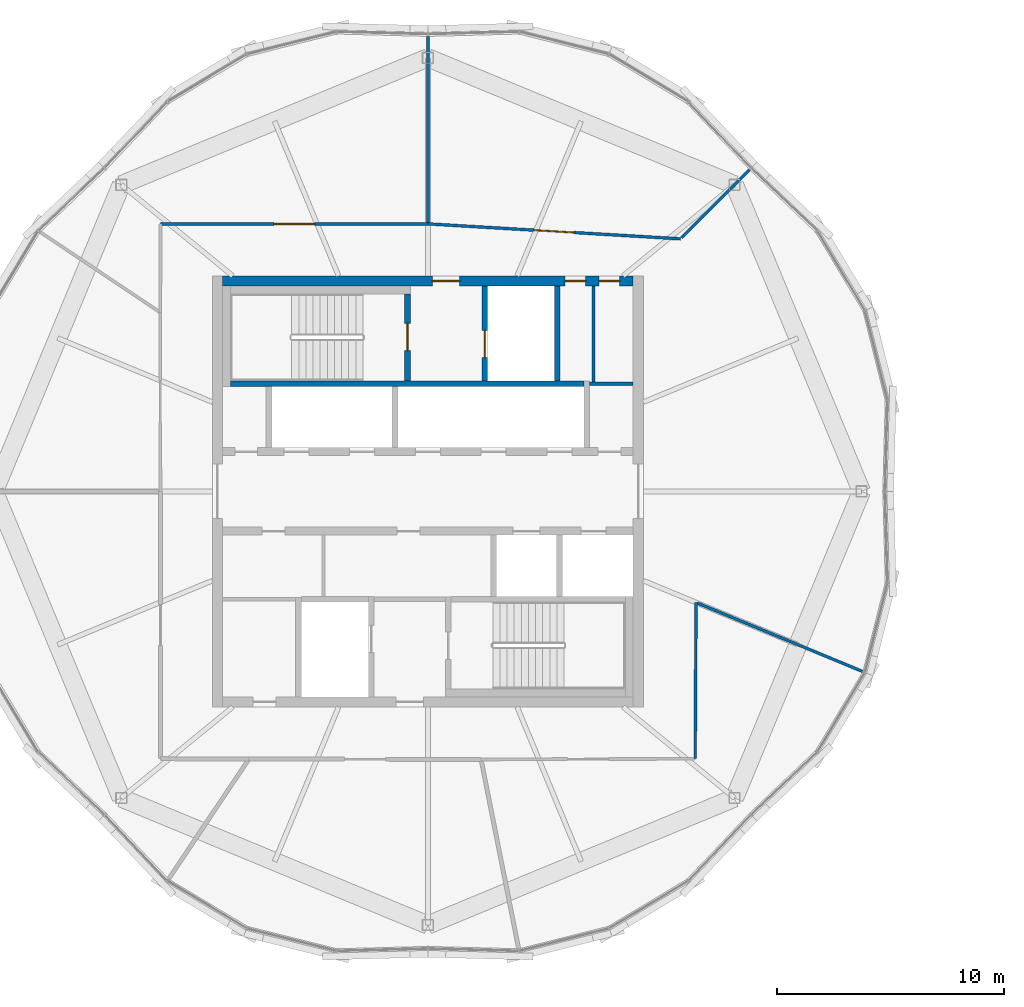
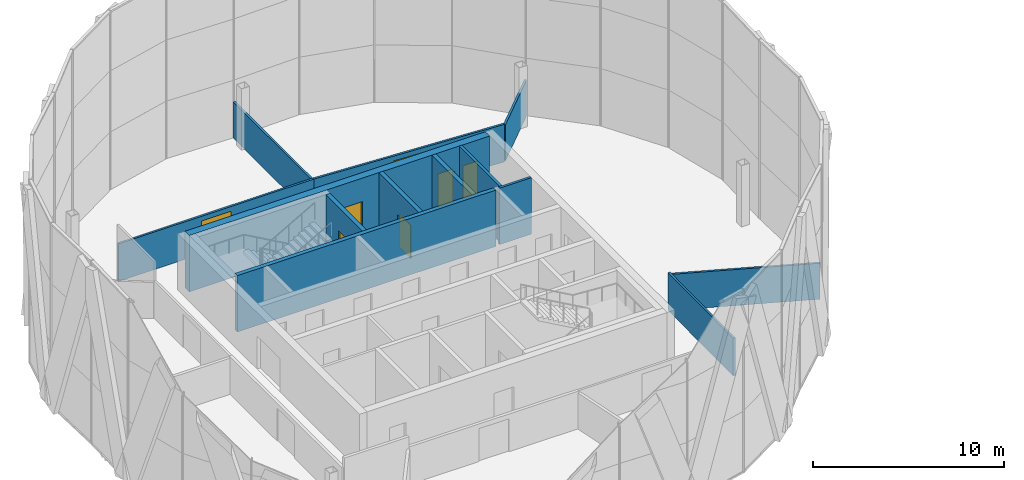
# One storey, part 17 of 22: 13 walls, 7 doors, 7 openings.
"""IFC4 building model written with IfcOpenShell, lengths in metres."""

from ifc_helpers import new_model, si_unit, direction, frame, frame_2d, origin, place, context, subcontext, project, spatial, rectangle, extrude, material, layer, layer_set, type_object, element, fill, save


model = new_model("IFC4")

# Units and contexts
model_context = context("Model", 3, precision=1e-05, world=origin(), true_north=direction((0.0, 1.0)))
body_context = subcontext(model_context, "Body", "Model", "MODEL_VIEW")
ifc_project = project(units=[si_unit("LENGTHUNIT", "METRE"), si_unit("AREAUNIT", "SQUARE_METRE"), si_unit("VOLUMEUNIT", "CUBIC_METRE"), si_unit("PLANEANGLEUNIT", "RADIAN"), si_unit("MASSUNIT", "GRAM", prefix="KILO")], contexts=[model_context])

# Site, building, storey
site_placement = place(None, origin())
site = spatial("IfcSite", under=ifc_project, at=site_placement, CompositionType="ELEMENT")
building_placement = place(site_placement, origin())
building = spatial("IfcBuilding", under=site, at=building_placement, Name="Ogive Gate Towers", CompositionType="ELEMENT")
storey_placement = place(building_placement, frame((0.0, 0.0, 228.89990234375)))
storey = spatial("IfcBuildingStorey", under=building, at=storey_placement, Name="L54", CompositionType="ELEMENT", Elevation=228.89990234375)

# Wall, openings, doors
ifc_material_1 = material(Name="Concrete C60/75", Category="concrete")
ifc_layer_1 = layer(ifc_material_1, 0.449951171875)
ifc_layer_set_1 = layer_set([ifc_layer_1], Name="Core wall 450 mm")
wall_type_1 = type_object("IfcWallType", Name="Core wall 450 mm", PredefinedType="SHEAR", material=ifc_layer_set_1)
wall_1_placement = place(storey_placement, frame((-45.050048828125, 9.27490234375, 0.0), z_axis=(0.0, 0.0, 1.0), x_axis=(1.0, 0.0, 0.0)))
wall_1 = element("IfcWall", 1, at=wall_1_placement, inside=storey, type_object=wall_type_1, Name="T1 L54 Core wall 450 mm", PredefinedType="SHEAR", context=body_context, shape_type="SweptSolid", body=[
    extrude(rectangle(XDim=18.10009765625, YDim=0.449951171875, at=frame_2d((9.050048828125, 0.0))), origin(), (0.0, 0.0, 1.0), 3.60009765625),
])
opening_1_placement = place(wall_1_placement, frame((9.25, 0.0, 0.0)))
opening_1 = element("IfcOpeningElement", 2, at=opening_1_placement, cuts=wall_1, Name="Opening KD-T1-L54-18", PredefinedType="OPENING", context=body_context, shape_type="SweptSolid", body=[
    extrude(rectangle(XDim=1.199951171875, YDim=2.10009765625, at=frame_2d((0.60009765625, 1.050048828125))), frame((0.0, 0.23486328125, 0.0), z_axis=(0.0, -1.0, 0.0), x_axis=(1.0, 0.0, 0.0)), (0.0, 0.0, 1.0), 0.469970703125),
])
opening_2_placement = place(wall_1_placement, frame((15.10009765625, 0.0, 0.0)))
opening_2 = element("IfcOpeningElement", 3, at=opening_2_placement, cuts=wall_1, Name="Opening KD-T1-L54-20", PredefinedType="OPENING", context=body_context, shape_type="SweptSolid", body=[
    extrude(rectangle(XDim=0.89990234375, YDim=2.10009765625, at=frame_2d((0.449951171875, 1.050048828125))), frame((0.0, 0.23486328125, 0.0), z_axis=(0.0, -1.0, 0.0), x_axis=(1.0, 0.0, 0.0)), (0.0, 0.0, 1.0), 0.469970703125),
])
opening_3_placement = place(wall_1_placement, frame((16.60009765625, 0.0, 0.0)))
opening_3 = element("IfcOpeningElement", 4, at=opening_3_placement, cuts=wall_1, Name="Opening KD-T1-L54-21", PredefinedType="OPENING", context=body_context, shape_type="SweptSolid", body=[
    extrude(rectangle(XDim=0.89990234375, YDim=2.10009765625, at=frame_2d((0.449951171875, 1.050048828125))), frame((0.0, 0.23486328125, 0.0), z_axis=(0.0, -1.0, 0.0), x_axis=(1.0, 0.0, 0.0)), (0.0, 0.0, 1.0), 0.469970703125),
])
ifc_material_2 = material(Name="Timber door", Category="wood")
door_type_1 = type_object("IfcDoorType", Name="Core WC door 900 x 2100", OperationType="NOTDEFINED", PredefinedType="DOOR", material=ifc_material_2)
door_1_placement = place(opening_2_placement, origin())
door_1 = element("IfcDoor", 5, at=door_1_placement, inside=storey, type_object=door_type_1, Name="T1 L54 Core door", OperationType="SINGLE_SWING_LEFT", OverallHeight=2.10009765625, OverallWidth=0.89990234375, PredefinedType="DOOR", context=body_context, shape_type="SweptSolid", body=[
    extrude(rectangle(XDim=0.89990234375, YDim=2.10009765625, at=frame_2d((0.449951171875, 1.050048828125))), frame((0.0, 0.02490234375, 0.0), z_axis=(0.0, -1.0, 0.0), x_axis=(1.0, 0.0, 0.0)), (0.0, 0.0, 1.0), 0.050048828125),
])
fill(opening_2, door_1)
door_2_placement = place(opening_3_placement, origin())
door_2 = element("IfcDoor", 6, at=door_2_placement, inside=storey, type_object=door_type_1, Name="T1 L54 Core door", OperationType="SINGLE_SWING_RIGHT", OverallHeight=2.10009765625, OverallWidth=0.89990234375, PredefinedType="DOOR", context=body_context, shape_type="SweptSolid", body=[
    extrude(rectangle(XDim=0.89990234375, YDim=2.10009765625, at=frame_2d((0.449951171875, 1.050048828125))), frame((0.0, 0.02490234375, 0.0), z_axis=(0.0, -1.0, 0.0), x_axis=(1.0, 0.0, 0.0)), (0.0, 0.0, 1.0), 0.050048828125),
])
fill(opening_3, door_2)
ifc_material_3 = material(Name="Steel fire door", Category="steel")
door_type_2 = type_object("IfcDoorType", Name="Core door FD60S 1200 x 2100", OperationType="NOTDEFINED", PredefinedType="DOOR", material=ifc_material_3)
door_3_placement = place(opening_1_placement, origin())
door_3 = element("IfcDoor", 7, at=door_3_placement, inside=storey, type_object=door_type_2, Name="T1 L54 Fire-fighting lobby door", OperationType="SINGLE_SWING_LEFT", OverallHeight=2.10009765625, OverallWidth=1.199951171875, PredefinedType="DOOR", context=body_context, shape_type="SweptSolid", body=[
    extrude(rectangle(XDim=1.199951171875, YDim=2.10009765625, at=frame_2d((0.60009765625, 1.050048828125))), frame((0.0, 0.02490234375, 0.0), z_axis=(0.0, -1.0, 0.0), x_axis=(1.0, 0.0, 0.0)), (0.0, 0.0, 1.0), 0.050048828125),
])
fill(opening_1, door_3)

# Walls
ifc_material_4 = material(Name="Gypsum board partition")
ifc_layer_2 = layer(ifc_material_4, 0.125)
ifc_layer_set_2 = layer_set([ifc_layer_2], Name="Partition 125")
wall_type_2 = type_object("IfcWallType", Name="Partition 125", PredefinedType="PARTITIONING", material=ifc_layer_set_2)
wall_2_placement = place(storey_placement, frame((-21.8232421875, 14.1767578125, 0.0), z_axis=(0.0, 0.0, 1.0), x_axis=(-0.707106781187, -0.707106781187, 0.0)))
element("IfcWall", 8, at=wall_2_placement, inside=storey, type_object=wall_type_2, Name="Partition T1-L54-001", PredefinedType="PARTITIONING", context=body_context, shape_type="SweptSolid", body=[
    extrude(rectangle(XDim=4.246337890625, YDim=0.125, at=frame_2d((2.123046875, 0.0))), origin(), (0.0, 0.0, 1.0), 2.300048828125),
])
wall_3_placement = place(storey_placement, frame((-36.0, 20.049072265625, 0.0), z_axis=(0.0, 0.0, 1.0), x_axis=(0.0, -1.0, 0.0)))
element("IfcWall", 9, at=wall_3_placement, inside=storey, type_object=wall_type_2, Name="Partition T1-L54-002", PredefinedType="PARTITIONING", context=body_context, shape_type="SweptSolid", body=[
    extrude(rectangle(XDim=8.196533203125, YDim=0.125, at=frame_2d((4.09814453125, 0.0))), origin(), (0.0, 0.0, 1.0), 2.300048828125),
])
wall_4_placement = place(storey_placement, frame((-16.829345703125, -7.940673828125, 0.0), z_axis=(0.0, 0.0, 1.0), x_axis=(-0.923885322284, 0.382669454317, 0.0)))
element("IfcWall", 10, at=wall_4_placement, inside=storey, type_object=wall_type_2, Name="Partition T1-L54-007", PredefinedType="PARTITIONING", context=body_context, shape_type="SweptSolid", body=[
    extrude(rectangle(XDim=7.896484375, YDim=0.125, at=frame_2d((3.9482421875, 0.0))), origin(), (0.0, 0.0, 1.0), 2.300048828125),
])
wall_5_placement = place(storey_placement, frame((-24.219970703125, -11.780029296875, 0.0), z_axis=(0.0, 0.0, 1.0), x_axis=(0.005425259683, 0.99998528317, 0.0)))
element("IfcWall", 11, at=wall_5_placement, inside=storey, type_object=wall_type_2, Name="Partition T1-L54-010", PredefinedType="PARTITIONING", context=body_context, shape_type="SweptSolid", body=[
    extrude(rectangle(XDim=6.885009765625, YDim=0.125, at=frame_2d((3.4423828125, 0.0))), origin(), (0.0, 0.0, 1.0), 2.400146484375),
])

# Wall, opening, door
wall_6_placement = place(storey_placement, frame((-24.8701171875, 11.1298828125, 0.0), z_axis=(0.0, 0.0, 1.0), x_axis=(-0.998245561238, 0.059209791998, 0.0)))
wall_6 = element("IfcWall", 12, at=wall_6_placement, inside=storey, type_object=wall_type_2, Name="Partition T1-L54-011", PredefinedType="PARTITIONING", context=body_context, shape_type="SweptSolid", body=[
    extrude(rectangle(XDim=11.1494140625, YDim=0.125, at=frame_2d((5.57470703125, 0.0))), origin(), (0.0, 0.0, 1.0), 2.400146484375),
])
opening_4_placement = place(wall_6_placement, frame((4.675048828125, 0.0, 0.0)))
opening_4 = element("IfcOpeningElement", 13, at=opening_4_placement, cuts=wall_6, Name="Opening T1-L54-D03", PredefinedType="OPENING", context=body_context, shape_type="SweptSolid", body=[
    extrude(rectangle(XDim=1.800048828125, YDim=2.10009765625, at=frame_2d((0.89990234375, 1.050048828125))), frame((0.0, 0.072509765625, 0.0), z_axis=(0.0, -1.0, 0.0), x_axis=(1.0, 0.0, 0.0)), (0.0, 0.0, 1.0), 0.14501953125),
])
door_type_3 = type_object("IfcDoorType", Name="Door pair 1800", OperationType="NOTDEFINED", PredefinedType="DOOR", material=ifc_material_2)
door_4_placement = place(opening_4_placement, origin())
door_4 = element("IfcDoor", 14, at=door_4_placement, inside=storey, type_object=door_type_3, Name="Door T1-L54-D03", OperationType="DOUBLE_DOOR_DOUBLE_SWING", OverallHeight=2.10009765625, OverallWidth=1.800048828125, PredefinedType="DOOR", context=body_context, shape_type="SweptSolid", body=[
    extrude(rectangle(XDim=1.800048828125, YDim=2.10009765625, at=frame_2d((0.89990234375, 1.050048828125))), frame((0.0, 0.02490234375, 0.0), z_axis=(0.0, -1.0, 0.0), x_axis=(1.0, 0.0, 0.0)), (0.0, 0.0, 1.0), 0.050048828125),
])
fill(opening_4, door_4)

wall_7_placement = place(storey_placement, frame((-36.0, 11.7900390625, 0.0), z_axis=(0.0, 0.0, 1.0), x_axis=(-0.999999638985, -0.000849723015, 0.0)))
wall_7 = element("IfcWall", 15, at=wall_7_placement, inside=storey, type_object=wall_type_2, Name="Partition T1-L54-012", PredefinedType="PARTITIONING", context=body_context, shape_type="SweptSolid", body=[
    extrude(rectangle(XDim=11.780029296875, YDim=0.125, at=frame_2d((5.89013671875, 0.0))), origin(), (0.0, 0.0, 1.0), 2.400146484375),
])
opening_5_placement = place(wall_7_placement, frame((4.989990234375, 0.0, 0.0)))
opening_5 = element("IfcOpeningElement", 16, at=opening_5_placement, cuts=wall_7, Name="Opening T1-L54-D04", PredefinedType="OPENING", context=body_context, shape_type="SweptSolid", body=[
    extrude(rectangle(XDim=1.800048828125, YDim=2.10009765625, at=frame_2d((0.89990234375, 1.050048828125))), frame((0.0, 0.072509765625, 0.0), z_axis=(0.0, -1.0, 0.0), x_axis=(1.0, 0.0, 0.0)), (0.0, 0.0, 1.0), 0.14501953125),
])
door_5_placement = place(opening_5_placement, origin())
door_5 = element("IfcDoor", 17, at=door_5_placement, inside=storey, type_object=door_type_3, Name="Door T1-L54-D04", OperationType="DOUBLE_DOOR_DOUBLE_SWING", OverallHeight=2.10009765625, OverallWidth=1.800048828125, PredefinedType="DOOR", context=body_context, shape_type="SweptSolid", body=[
    extrude(rectangle(XDim=1.800048828125, YDim=2.10009765625, at=frame_2d((0.89990234375, 1.050048828125))), frame((0.0, 0.02490234375, 0.0), z_axis=(0.0, -1.0, 0.0), x_axis=(1.0, 0.0, 0.0)), (0.0, 0.0, 1.0), 0.050048828125),
])
fill(opening_5, door_5)

# Walls
ifc_layer_3 = layer(ifc_material_4, 0.14990234375)
ifc_layer_set_3 = layer_set([ifc_layer_3], Name="Room partition 150 mm")
wall_type_3 = type_object("IfcWallType", Name="Room partition 150 mm", PredefinedType="PARTITIONING", material=ifc_layer_set_3)
wall_8_placement = place(storey_placement, frame((-28.875, 4.75, 0.0), z_axis=(0.0, 0.0, 1.0), x_axis=(1.0, 0.0, 0.0)))
element("IfcWall", 18, at=wall_8_placement, inside=storey, type_object=wall_type_3, Name="T1 L54 Room partition 150 mm", PredefinedType="PARTITIONING", context=body_context, shape_type="SweptSolid", body=[
    extrude(rectangle(XDim=1.925048828125, YDim=0.14990234375, at=frame_2d((0.96240234375, 0.0))), origin(), (0.0, 0.0, 1.0), 3.60009765625),
])
wall_9_placement = place(storey_placement, frame((-28.699951171875, 4.824951171875, 0.0), z_axis=(0.0, 0.0, 1.0), x_axis=(0.0, 1.0, 0.0)))
element("IfcWall", 19, at=wall_9_placement, inside=storey, type_object=wall_type_3, Name="T1 L54 Room partition 150 mm", PredefinedType="PARTITIONING", context=body_context, shape_type="SweptSolid", body=[
    extrude(rectangle(XDim=4.22509765625, YDim=0.14990234375, at=frame_2d((2.112548828125, 0.0))), origin(), (0.0, 0.0, 1.0), 3.60009765625),
])
ifc_layer_4 = layer(ifc_material_1, 0.25)
ifc_layer_set_4 = layer_set([ifc_layer_4], Name="Shaft wall 250 mm")
wall_type_4 = type_object("IfcWallType", Name="Shaft wall 250 mm", PredefinedType="SHEAR", material=ifc_layer_set_4)
wall_10_placement = place(storey_placement, frame((-44.699951171875, 4.75, 0.0), z_axis=(0.0, 0.0, 1.0), x_axis=(1.0, 0.0, 0.0)))
element("IfcWall", 20, at=wall_10_placement, inside=storey, type_object=wall_type_4, Name="T1 L54 Shaft wall 250 mm", PredefinedType="SHEAR", context=body_context, shape_type="SweptSolid", body=[
    extrude(rectangle(XDim=15.574951171875, YDim=0.25, at=frame_2d((7.78759765625, 0.0))), origin(), (0.0, 0.0, 1.0), 3.60009765625),
])

# Wall, opening, door
wall_11_placement = place(storey_placement, frame((-36.89990234375, 4.875, 0.0), z_axis=(0.0, 0.0, 1.0), x_axis=(0.0, 1.0, 0.0)))
wall_11 = element("IfcWall", 21, at=wall_11_placement, inside=storey, type_object=wall_type_4, Name="T1 L54 Shaft wall 250 mm", PredefinedType="SHEAR", context=body_context, shape_type="SweptSolid", body=[
    extrude(rectangle(XDim=3.824951171875, YDim=0.25, at=frame_2d((1.91259765625, 0.0))), origin(), (0.0, 0.0, 1.0), 3.60009765625),
])
opening_6_placement = place(wall_11_placement, frame((1.324951171875, 0.0, 0.0)))
opening_6 = element("IfcOpeningElement", 22, at=opening_6_placement, cuts=wall_11, Name="Opening KD-T1-L54-16", PredefinedType="OPENING", context=body_context, shape_type="SweptSolid", body=[
    extrude(rectangle(XDim=1.199951171875, YDim=2.10009765625, at=frame_2d((0.60009765625, 1.050048828125))), frame((0.0, 0.135009765625, 0.0), z_axis=(0.0, -1.0, 0.0), x_axis=(1.0, 0.0, 0.0)), (0.0, 0.0, 1.0), 0.27001953125),
])
door_6_placement = place(opening_6_placement, origin())
door_6 = element("IfcDoor", 23, at=door_6_placement, inside=storey, type_object=door_type_2, Name="T1 L54 Stair door", OperationType="SINGLE_SWING_LEFT", OverallHeight=2.10009765625, OverallWidth=1.199951171875, PredefinedType="DOOR", context=body_context, shape_type="SweptSolid", body=[
    extrude(rectangle(XDim=1.199951171875, YDim=2.10009765625, at=frame_2d((0.60009765625, 1.050048828125))), frame((0.0, 0.02490234375, 0.0), z_axis=(0.0, -1.0, 0.0), x_axis=(1.0, 0.0, 0.0)), (0.0, 0.0, 1.0), 0.050048828125),
])
fill(opening_6, door_6)

wall_12_placement = place(storey_placement, frame((-33.5, 4.875, 0.0), z_axis=(0.0, 0.0, 1.0), x_axis=(0.0, 1.0, 0.0)))
wall_12 = element("IfcWall", 24, at=wall_12_placement, inside=storey, type_object=wall_type_4, Name="T1 L54 Shaft wall 250 mm", PredefinedType="SHEAR", context=body_context, shape_type="SweptSolid", body=[
    extrude(rectangle(XDim=4.175048828125, YDim=0.25, at=frame_2d((2.08740234375, 0.0))), origin(), (0.0, 0.0, 1.0), 3.60009765625),
])
opening_7_placement = place(wall_12_placement, frame((1.02490234375, 0.0, 0.0)))
opening_7 = element("IfcOpeningElement", 25, at=opening_7_placement, cuts=wall_12, Name="Opening LD-T1-L54-12", PredefinedType="OPENING", context=body_context, shape_type="SweptSolid", body=[
    extrude(rectangle(XDim=1.199951171875, YDim=2.10009765625, at=frame_2d((0.60009765625, 1.050048828125))), frame((0.0, 0.135009765625, 0.0), z_axis=(0.0, -1.0, 0.0), x_axis=(1.0, 0.0, 0.0)), (0.0, 0.0, 1.0), 0.27001953125),
])
ifc_material_5 = material(Name="Stainless steel landing door", Category="steel")
door_type_4 = type_object("IfcDoorType", Name="Landing door 1200 x 2100", OperationType="SLIDING_TO_LEFT", PredefinedType="DOOR", material=ifc_material_5)
door_7_placement = place(opening_7_placement, origin())
door_7 = element("IfcDoor", 26, at=door_7_placement, inside=storey, type_object=door_type_4, Name="T1 L54 Lift landing door FF1", OperationType="SLIDING_TO_LEFT", OverallHeight=2.10009765625, OverallWidth=1.199951171875, PredefinedType="DOOR", context=body_context, shape_type="SweptSolid", body=[
    extrude(rectangle(XDim=1.199951171875, YDim=2.10009765625, at=frame_2d((0.60009765625, 1.050048828125))), frame((0.0, 0.02490234375, 0.0), z_axis=(0.0, -1.0, 0.0), x_axis=(1.0, 0.0, 0.0)), (0.0, 0.0, 1.0), 0.050048828125),
])
fill(opening_7, door_7)

# Wall
wall_13_placement = place(storey_placement, frame((-30.300048828125, 4.875, 0.0), z_axis=(0.0, 0.0, 1.0), x_axis=(0.0, 1.0, 0.0)))
element("IfcWall", 27, at=wall_13_placement, inside=storey, type_object=wall_type_4, Name="T1 L54 Shaft wall 250 mm", PredefinedType="SHEAR", context=body_context, shape_type="SweptSolid", body=[
    extrude(rectangle(XDim=4.175048828125, YDim=0.25, at=frame_2d((2.08740234375, 0.0))), origin(), (0.0, 0.0, 1.0), 3.60009765625),
])

save(model, "model.ifc")
